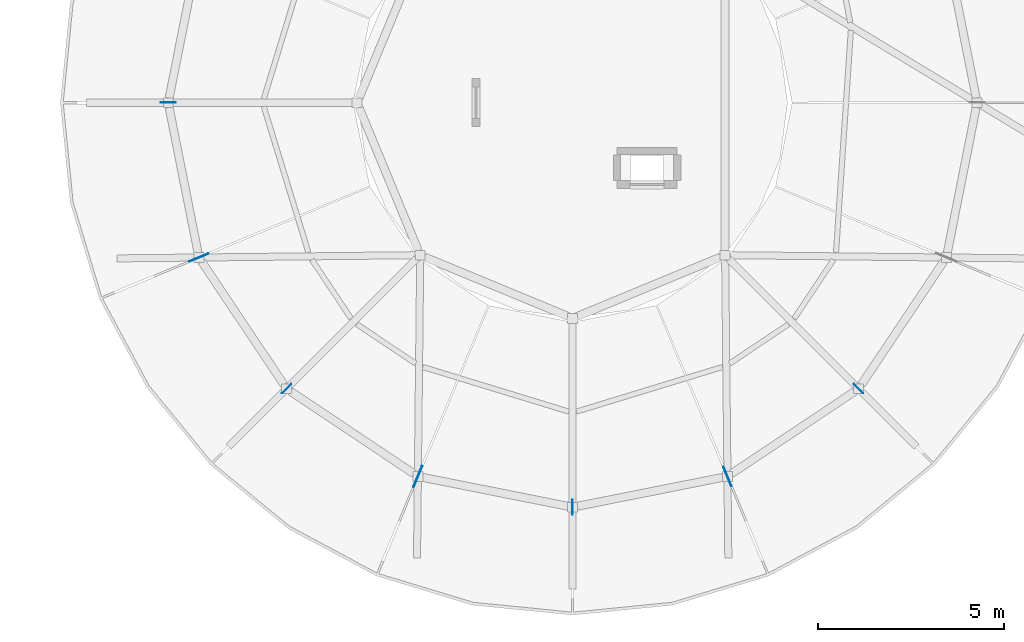
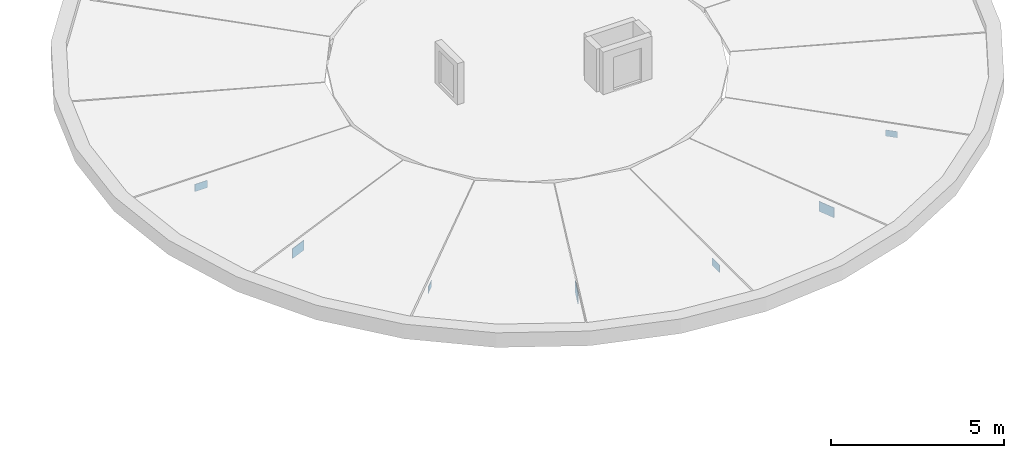
# One storey, part 14 of 37: 7 plates.
"""IFC4 building model written with IfcOpenShell, lengths in metres."""

from ifc_helpers import new_model, si_unit, direction, frame, origin, origin_2d, place, context, subcontext, project, spatial, rectangle, extrude, material, layer, layer_set, type_object, element, save


model = new_model("IFC4")

# Units and contexts
model_context = context("Model", 3, precision=1e-05, world=origin(), true_north=direction((0.0, 1.0)))
body_context = subcontext(model_context, "Body", "Model", "MODEL_VIEW")
ifc_project = project(units=[si_unit("LENGTHUNIT", "METRE"), si_unit("AREAUNIT", "SQUARE_METRE"), si_unit("VOLUMEUNIT", "CUBIC_METRE"), si_unit("PLANEANGLEUNIT", "RADIAN"), si_unit("MASSUNIT", "GRAM", prefix="KILO")], contexts=[model_context])

# Site, building, storey
site_placement = place(None, origin())
site = spatial("IfcSite", under=ifc_project, at=site_placement, CompositionType="ELEMENT")
building_placement = place(site_placement, origin())
building = spatial("IfcBuilding", under=site, at=building_placement, Name="Aldenvaro Health Centre", CompositionType="ELEMENT")
storey_placement = place(building_placement, frame((0.0, 0.0, 12.949951171875)))
storey = spatial("IfcBuildingStorey", under=building, at=storey_placement, Name="L03", CompositionType="ELEMENT", Elevation=12.949951171875)

# Plates
ifc_material = material(Name="Steel ASTM A572 Grade 50", Category="steel")
ifc_layer_1 = layer(ifc_material, 0.013916015625, Name="Steel ASTM A572 Grade 50", Category="steel")
ifc_layer_set_1 = layer_set([ifc_layer_1], Name="Steel ASTM A572 Grade 50")
plate_type_1 = type_object("IfcPlateType", Name="PLT-GUS-07", PredefinedType="SHEET", material=ifc_layer_set_1)
for number, where, z_axis, x_axis, name in (
    (1, (143.6201171875, 18.5, 0.28125), (0.0, 0.0, 1.0), (-1.0, 0.0, 0.0), "D6 Rafter Eave Gusset 09"),
    (2, (154.5, 7.6201171875, 0.28125), (0.0, 0.0, 1.0), (0.0, -1.0, 0.0), "D6 Rafter Eave Gusset 13"),
):
    element("IfcPlate", number, at=place(storey_placement, frame(where, z_axis=z_axis, x_axis=x_axis)), inside=storey, type_object=plate_type_1, Name=name, PredefinedType="SHEET", context=body_context, shape_type="SweptSolid", body=[
        extrude(rectangle(XDim=0.409912109375, YDim=0.013916015625, at=origin_2d()), origin(), (0.0, 0.0, 1.0), 0.260009765625),
    ])
ifc_layer_2 = layer(ifc_material, 0.01904296875, Name="Steel ASTM A572 Grade 50", Category="steel")
ifc_layer_set_2 = layer_set([ifc_layer_2], Name="Steel ASTM A572 Grade 50")
plate_type_2 = type_object("IfcPlateType", Name="PLT-GUS-08", PredefinedType="SHEET", material=ifc_layer_set_2)
for number, where, z_axis, x_axis, name in (
    (3, (144.447998046875, 14.3359375, 0.236083984375), (0.0, 0.0, 1.0), (-0.923868962566, -0.382708949475, 0.0), "D6 Rafter Eave Gusset 10"),
    (4, (158.6640625, 8.447998046875, 0.236083984375), (0.0, 0.0, 1.0), (0.382708949475, -0.923868962566, 0.0), "D6 Rafter Eave Gusset 14"),
):
    element("IfcPlate", number, at=place(storey_placement, frame(where, z_axis=z_axis, x_axis=x_axis)), inside=storey, type_object=plate_type_2, Name=name, PredefinedType="SHEET", context=body_context, shape_type="SweptSolid", body=[
        extrude(rectangle(XDim=0.550048828125, YDim=0.01904296875, at=origin_2d()), origin(), (0.0, 0.0, 1.0), 0.35009765625),
    ])
ifc_layer_3 = layer(ifc_material, 0.011962890625, Name="Steel ASTM A572 Grade 50", Category="steel")
ifc_layer_set_3 = layer_set([ifc_layer_3], Name="Steel ASTM A572 Grade 50")
plate_type_3 = type_object("IfcPlateType", Name="PLT-GUS-09", PredefinedType="SHEET", material=ifc_layer_set_3)
for number, where, z_axis, x_axis, name in (
    (5, (146.806884765625, 10.806884765625, 0.30126953125), (0.0, 0.0, 1.0), (-0.707106781187, -0.707106781187, 0.0), "D6 Rafter Eave Gusset 11"),
    (6, (162.193115234375, 10.806884765625, 0.30126953125), (0.0, 0.0, 1.0), (0.707106781187, -0.707106781187, 0.0), "D6 Rafter Eave Gusset 15"),
):
    element("IfcPlate", number, at=place(storey_placement, frame(where, z_axis=z_axis, x_axis=x_axis)), inside=storey, type_object=plate_type_3, Name=name, PredefinedType="SHEET", context=body_context, shape_type="SweptSolid", body=[
        extrude(rectangle(XDim=0.35009765625, YDim=0.011962890625, at=origin_2d()), origin(), (0.0, 0.0, 1.0), 0.219970703125),
    ])
ifc_layer_4 = layer(ifc_material, 0.02099609375, Name="Steel ASTM A572 Grade 50", Category="steel")
ifc_layer_set_4 = layer_set([ifc_layer_4], Name="Steel ASTM A572 Grade 50")
plate_type_4 = type_object("IfcPlateType", Name="PLT-GUS-10", PredefinedType="SHEET", material=ifc_layer_set_4)
plate_placement = place(storey_placement, frame((150.3359375, 8.447998046875, 0.211181640625), z_axis=(0.0, 0.0, 1.0), x_axis=(-0.382708949475, -0.923868962566, 0.0)))
element("IfcPlate", 7, at=plate_placement, inside=storey, type_object=plate_type_4, Name="D6 Rafter Eave Gusset 12", PredefinedType="SHEET", context=body_context, shape_type="SweptSolid", body=[
    extrude(rectangle(XDim=0.610107421875, YDim=0.02099609375, at=origin_2d()), origin(), (0.0, 0.0, 1.0), 0.39990234375),
])

save(model, "model.ifc")
